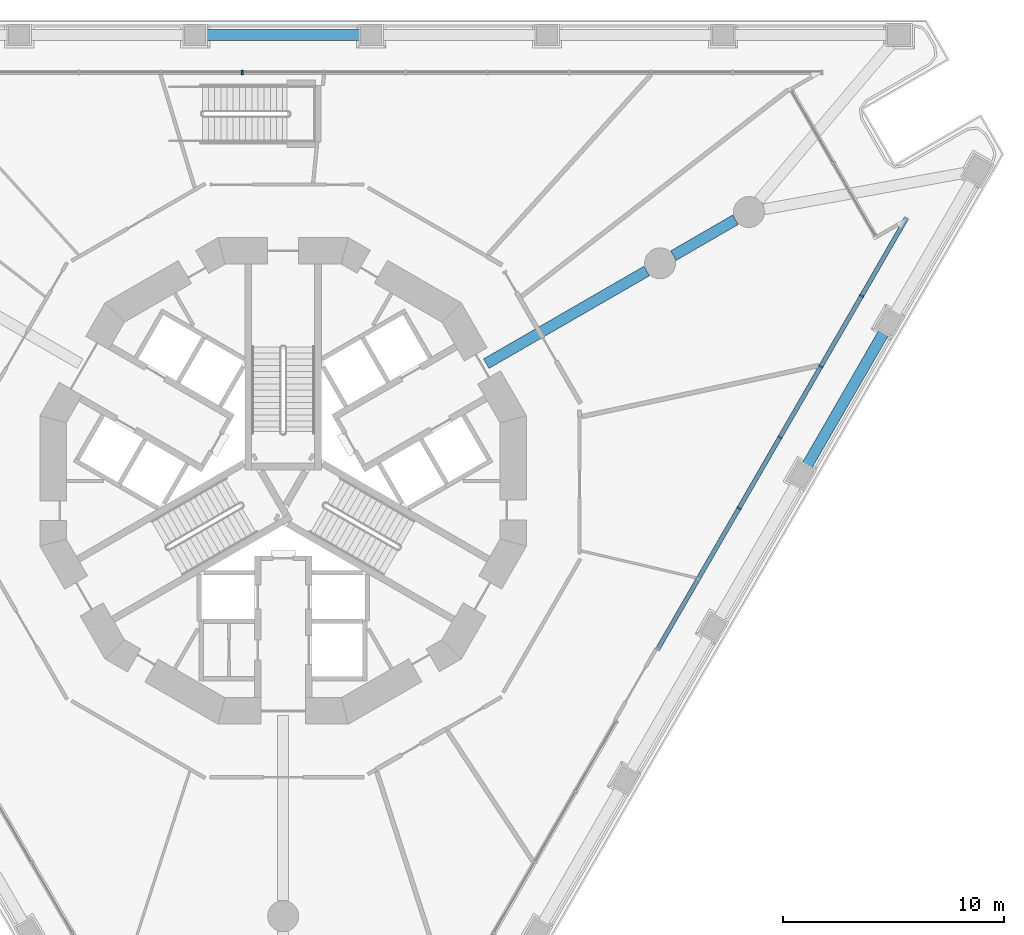
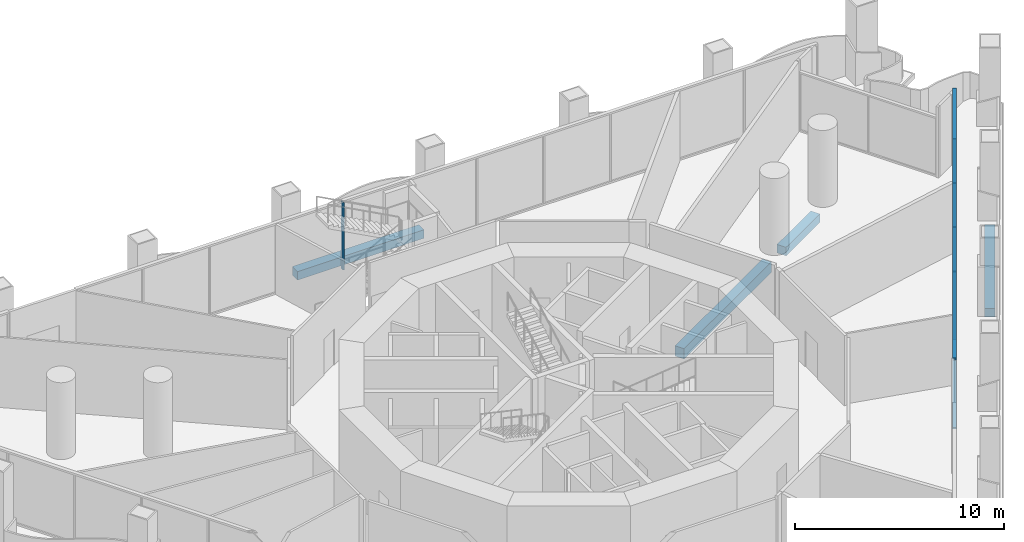
# One storey, part 6 of 23: 7 members, 4 beams, 2 elements without a shape of their own.
"""IFC4 building model written with IfcOpenShell, lengths in metres."""

from ifc_helpers import new_model, si_unit, direction, frame, origin, origin_2d, place, context, subcontext, project, spatial, rectangle, extrude, material, layer, layer_set, material_profile, profile_set, type_object, element, aggregate, save


model = new_model("IFC4")

# Units and contexts
model_context = context("Model", 3, precision=1e-05, world=origin(), true_north=direction((0.0, 1.0)))
body_context = subcontext(model_context, "Body", "Model", "MODEL_VIEW")
ifc_project = project(units=[si_unit("LENGTHUNIT", "METRE"), si_unit("AREAUNIT", "SQUARE_METRE"), si_unit("VOLUMEUNIT", "CUBIC_METRE"), si_unit("PLANEANGLEUNIT", "RADIAN"), si_unit("MASSUNIT", "GRAM", prefix="KILO")], contexts=[model_context])

# Site, building, storey
site_placement = place(None, origin())
site = spatial("IfcSite", under=ifc_project, at=site_placement, CompositionType="ELEMENT")
building_placement = place(site_placement, origin())
building = spatial("IfcBuilding", under=site, at=building_placement, Name="Trine Commons Tower", CompositionType="ELEMENT")
storey_placement = place(building_placement, frame((0.0, 0.0, 18.0)))
storey = spatial("IfcBuildingStorey", under=building, at=storey_placement, Name="L03", CompositionType="ELEMENT", Elevation=18.0)

# Curtain wall, member
ifc_material_1 = material(Name="Podium glazing: anodised aluminium frame with low-emissivity double glazed unit", Category="aluminium")
ifc_layer = layer(ifc_material_1, 0.199951171875)
ifc_layer_set = layer_set([ifc_layer], Name="Podium glazing: anodised aluminium frame with low-emissivity double glazed unit")
curtain_wall_type = type_object("IfcCurtainWallType", Name="Podium glazing curtain wall CW3", PredefinedType="NOTDEFINED", material=ifc_layer_set)
curtain_wall_1_placement = place(storey_placement, origin())
curtain_wall_1 = element("IfcCurtainWall", 1, at=curtain_wall_1_placement, inside=storey, type_object=curtain_wall_type, Name="Podium glazing L03 F1.2", PredefinedType="NOTDEFINED")
ifc_material_2 = material(Name="Anodised aluminium, bronze finish", Category="aluminium")
ifc_material_profile_1 = material_profile(ifc_material_2, rectangle(XDim=0.199951171875, YDim=0.074951171875, at=origin_2d()), Name="Mullion 75x200")
ifc_profile_set_1 = profile_set([ifc_material_profile_1], Name="Anodised aluminium, bronze finish")
member_type_1 = type_object("IfcMemberType", Name="Mullion 75x200, Anodised aluminium, bronze finish", PredefinedType="MULLION", material=ifc_profile_set_1)
member_1_placement = place(storey_placement, frame((78.150390625, 80.984619140625, 0.10009765625), z_axis=(0.0, 0.0, 1.0), x_axis=(0.0, 1.0, 0.0)))
member_1 = element("IfcMember", 2, at=member_1_placement, type_object=member_type_1, Name="CW3 mullion 5.1", PredefinedType="MULLION", context=body_context, shape_type="SweptSolid", body=[
    extrude(rectangle(XDim=0.199951171875, YDim=0.074951171875, at=origin_2d()), origin(), (0.0, 0.0, 1.0), 3.949951171875),
])
aggregate(curtain_wall_1, [member_1])

# Curtain wall, members
curtain_wall_2_placement = place(storey_placement, origin())
curtain_wall_2 = element("IfcCurtainWall", 3, at=curtain_wall_2_placement, inside=storey, type_object=curtain_wall_type, Name="Podium glazing L03 F2.1", PredefinedType="NOTDEFINED")
member_2_placement = place(storey_placement, frame((106.18017578125, 70.876220703125, 0.10009765625), z_axis=(0.0, 0.0, 1.0), x_axis=(0.866025403784, -0.5, 0.0)))
member_2 = element("IfcMember", 4, at=member_2_placement, type_object=member_type_1, Name="CW3 mullion 2.1", PredefinedType="MULLION", context=body_context, shape_type="SweptSolid", body=[
    extrude(rectangle(XDim=0.199951171875, YDim=0.074951171875, at=origin_2d()), origin(), (0.0, 0.0, 1.0), 3.949951171875),
])
member_3_placement = place(storey_placement, frame((104.330810546875, 67.6728515625, 0.10009765625), z_axis=(0.0, 0.0, 1.0), x_axis=(0.866025403784, -0.5, 0.0)))
member_3 = element("IfcMember", 5, at=member_3_placement, type_object=member_type_1, Name="CW3 mullion 3.1", PredefinedType="MULLION", context=body_context, shape_type="SweptSolid", body=[
    extrude(rectangle(XDim=0.199951171875, YDim=0.074951171875, at=origin_2d()), origin(), (0.0, 0.0, 1.0), 3.949951171875),
])
member_4_placement = place(storey_placement, frame((102.481201171875, 64.469482421875, 0.10009765625), z_axis=(0.0, 0.0, 1.0), x_axis=(0.866025403784, -0.5, 0.0)))
member_4 = element("IfcMember", 6, at=member_4_placement, type_object=member_type_1, Name="CW3 mullion 4.1", PredefinedType="MULLION", context=body_context, shape_type="SweptSolid", body=[
    extrude(rectangle(XDim=0.199951171875, YDim=0.074951171875, at=origin_2d()), origin(), (0.0, 0.0, 1.0), 3.949951171875),
])
member_5_placement = place(storey_placement, frame((100.6318359375, 61.26611328125, 0.10009765625), z_axis=(0.0, 0.0, 1.0), x_axis=(0.866025403784, -0.5, 0.0)))
member_5 = element("IfcMember", 7, at=member_5_placement, type_object=member_type_1, Name="CW3 mullion 5.1", PredefinedType="MULLION", context=body_context, shape_type="SweptSolid", body=[
    extrude(rectangle(XDim=0.199951171875, YDim=0.074951171875, at=origin_2d()), origin(), (0.0, 0.0, 1.0), 3.949951171875),
])

# Beams
ifc_material_3 = material(Name="Concrete C50/60", Category="concrete")
ifc_material_profile_2 = material_profile(ifc_material_3, rectangle(XDim=0.5, YDim=0.5, at=origin_2d()), Name="RC 500x500")
ifc_profile_set_2 = profile_set([ifc_material_profile_2], Name="Concrete C50/60")
beam_type_1 = type_object("IfcBeamType", Name="RC beam 500x500, C50/60", PredefinedType="BEAM", material=ifc_profile_set_2)
for number, where, z_axis, x_axis, name in (
    (8, (76.493408203125, 82.6845703125, -0.60009765625), (1.0, 0.0, 0.0), (0.0, 1.0, 0.0), "Beam EB1-11 L03"),
    (9, (107.197021484375, 69.237548828125, -0.60009765625), (-0.499991645397, -0.866030227263, 0.0), (0.866030227263, -0.499991645397, 0.0), "Beam EB1-16 L03"),
):
    element("IfcBeam", number, at=place(storey_placement, frame(where, z_axis=z_axis, x_axis=x_axis)), inside=storey, type_object=beam_type_1, Name=name, PredefinedType="BEAM", context=body_context, shape_type="SweptSolid", body=[
        extrude(rectangle(XDim=0.5, YDim=0.5, at=origin_2d()), origin(), (0.0, 0.0, 1.0), 7.01318359375),
    ])
beam_1_placement = place(storey_placement, frame((97.663818359375, 72.697998046875, -0.60009765625), z_axis=(0.865996235589, 0.500050517394, 0.0), x_axis=(-0.500050517394, 0.865996235589, 0.0)))
element("IfcBeam", 10, at=beam_1_placement, inside=storey, type_object=beam_type_1, Name="Beam RB1-04 L03", PredefinedType="BEAM", context=body_context, shape_type="SweptSolid", body=[
    extrude(rectangle(XDim=0.5, YDim=0.5, at=origin_2d()), origin(), (0.0, 0.0, 1.0), 3.242431640625),
])
ifc_material_profile_3 = material_profile(ifc_material_3, rectangle(XDim=0.5, YDim=0.60009765625, at=origin_2d()), Name="RC 500x600")
ifc_profile_set_3 = profile_set([ifc_material_profile_3], Name="Concrete C50/60")
beam_type_2 = type_object("IfcBeamType", Name="RC beam 500x600, C50/60", PredefinedType="BEAM", material=ifc_profile_set_3)
beam_2_placement = place(storey_placement, frame((89.18994140625, 67.805908203125, -0.64990234375), z_axis=(0.866038208851, 0.499977820318, 0.0), x_axis=(-0.499977820318, 0.866038208851, 0.0)))
element("IfcBeam", 11, at=beam_2_placement, inside=storey, type_object=beam_type_2, Name="Beam RB1-03 L03", PredefinedType="BEAM", context=body_context, shape_type="SweptSolid", body=[
    extrude(rectangle(XDim=0.5, YDim=0.60009765625, at=origin_2d()), origin(), (0.0, 0.0, 1.0), 8.38623046875),
])

# Member
ifc_material_profile_4 = material_profile(ifc_material_2, rectangle(XDim=0.199951171875, YDim=0.10009765625, at=origin_2d()), Name="Transom 100x200")
ifc_profile_set_4 = profile_set([ifc_material_profile_4], Name="Anodised aluminium, bronze finish")
member_type_2 = type_object("IfcMemberType", Name="Transom 100x200, Anodised aluminium, bronze finish", PredefinedType="USERDEFINED", material=ifc_profile_set_4)
member_6_placement = place(storey_placement, frame((108.21630859375, 74.40283203125, 0.050048828125), z_axis=(-0.499997470867, -0.866026863975, 0.0), x_axis=(0.866026863975, -0.499997470867, 0.0)))
member_6 = element("IfcMember", 12, at=member_6_placement, type_object=member_type_2, Name="CW3 transom T00", ObjectType="TRANSOM", PredefinedType="USERDEFINED", context=body_context, shape_type="SweptSolid", body=[
    extrude(rectangle(XDim=0.199951171875, YDim=0.10009765625, at=origin_2d()), origin(), (0.0, 0.0, 1.0), 22.56640625),
])

member_7_placement = place(storey_placement, frame((108.21630859375, 74.40283203125, 4.10009765625), z_axis=(-0.499997470867, -0.866026863975, 0.0), x_axis=(0.866026863975, -0.499997470867, 0.0)))
member_7 = element("IfcMember", 13, at=member_7_placement, type_object=member_type_2, Name="CW3 transom TH00", ObjectType="TRANSOM", PredefinedType="USERDEFINED", context=body_context, shape_type="SweptSolid", body=[
    extrude(rectangle(XDim=0.199951171875, YDim=0.10009765625, at=origin_2d()), origin(), (0.0, 0.0, 1.0), 22.56640625),
])

aggregate(curtain_wall_2, [member_6, member_7, member_2, member_3, member_4, member_5])

save(model, "model.ifc")
